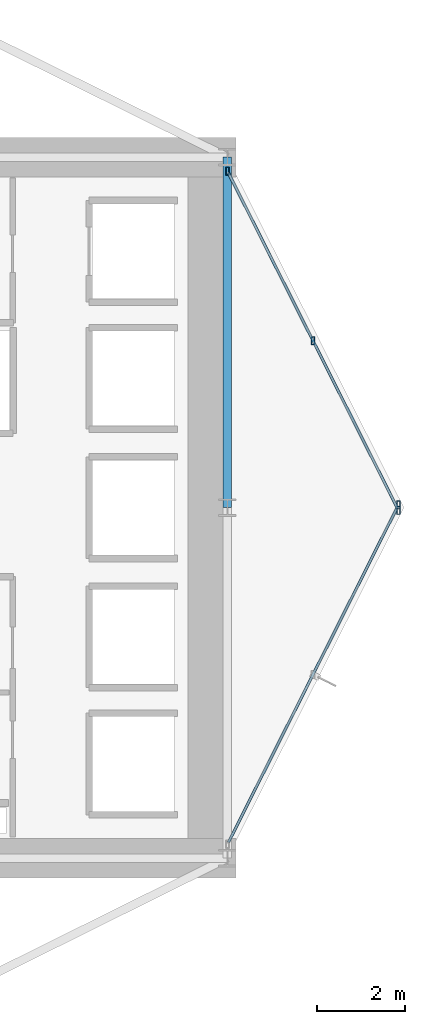
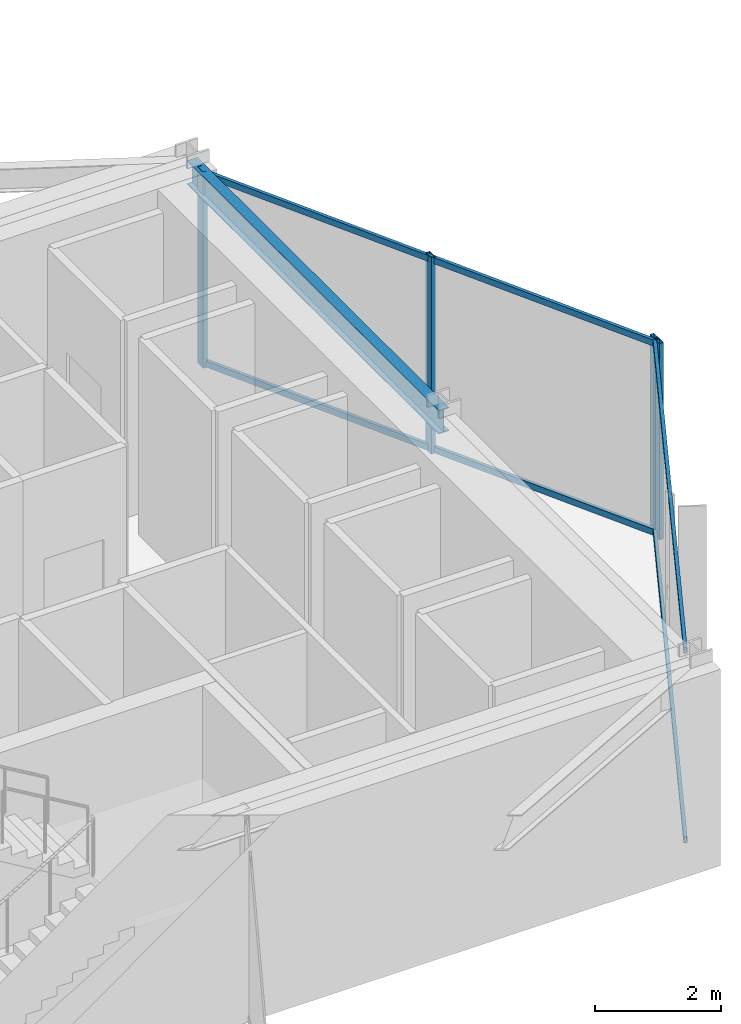
# One storey, part 19 of 30: 8 members, 1 beam, 2 elements without a shape of their own.
"""IFC4 building model written with IfcOpenShell, lengths in metres."""

from ifc_helpers import new_model, si_unit, direction, frame, origin, origin_2d, place, context, subcontext, project, spatial, hollow_rectangle, i_section, extrude, material, layer, layer_set, material_profile, profile_set, type_object, element, aggregate, save


model = new_model("IFC4")

# Units and contexts
model_context = context("Model", 3, precision=1e-05, world=origin(), true_north=direction((0.0, 1.0)))
body_context = subcontext(model_context, "Body", "Model", "MODEL_VIEW")
ifc_project = project(units=[si_unit("LENGTHUNIT", "METRE"), si_unit("AREAUNIT", "SQUARE_METRE"), si_unit("VOLUMEUNIT", "CUBIC_METRE"), si_unit("PLANEANGLEUNIT", "RADIAN"), si_unit("MASSUNIT", "GRAM", prefix="KILO")], contexts=[model_context])

# Site, building, storey
site_placement = place(None, origin())
site = spatial("IfcSite", under=ifc_project, at=site_placement, CompositionType="ELEMENT")
building_placement = place(site_placement, origin())
building = spatial("IfcBuilding", under=site, at=building_placement, Name="Veymaron Broadcast Tower", CompositionType="ELEMENT")
storey_placement = place(building_placement, frame((0.0, 0.0, 54.0)))
storey = spatial("IfcBuildingStorey", under=building, at=storey_placement, Name="L11", CompositionType="ELEMENT", Elevation=54.0)

# Beam
ifc_material_1 = material(Name="Structural steel ASTM A992 Gr 50", Category="steel")
ifc_material_profile_1 = material_profile(ifc_material_1, i_section(OverallWidth=0.19091796875, OverallDepth=0.4599609375, WebThickness=0.010009765625, FlangeThickness=0.01611328125, at=origin_2d()), Name="W460X82")
ifc_profile_set_1 = profile_set([ifc_material_profile_1], Name="Structural steel ASTM A992 Gr 50")
beam_type = type_object("IfcBeamType", Name="BM-SP1", PredefinedType="SPANDREL", material=ifc_profile_set_1)
beam_placement = place(storey_placement, frame((54.60009765625, 24.0, 3.580078125), z_axis=(0.0, 1.0, 0.0), x_axis=(-1.0, 0.0, 0.0)))
element("IfcBeam", 1, at=beam_placement, inside=storey, type_object=beam_type, Name="L11 primary structural floor girder", PredefinedType="SPANDREL", context=body_context, shape_type="SweptSolid", body=[
    extrude(i_section(OverallWidth=0.19091796875, OverallDepth=0.4599609375, WebThickness=0.010009765625, FlangeThickness=0.01611328125, at=origin_2d()), origin(), (0.0, 0.0, 1.0), 8.0),
])

# Curtain wall, member
ifc_material_2 = material(Name="Anodised aluminium AA 6063-T6 and laminated low-E dark glass", Category="aluminium")
ifc_layer = layer(ifc_material_2, 0.179931640625)
ifc_layer_set = layer_set([ifc_layer], Name="Anodised aluminium AA 6063-T6 and laminated low-E dark glass")
curtain_wall_type = type_object("IfcCurtainWallType", Name="CW-SYS-02", PredefinedType="NOTDEFINED", material=ifc_layer_set)
curtain_wall_1_placement = place(storey_placement, origin())
curtain_wall_1 = element("IfcCurtainWall", 2, at=curtain_wall_1_placement, inside=storey, type_object=curtain_wall_type, Name="L11 dark-glass curtain wall CW-L11-E2-1", PredefinedType="NOTDEFINED")
ifc_material_3 = material(Name="Anodised aluminium AA 6063-T6", Category="aluminium")
ifc_material_profile_2 = material_profile(ifc_material_3, hollow_rectangle(XDim=0.074951171875, YDim=0.179931640625, WallThickness=0.0048828125, at=origin_2d()), Name="AL180X75X5")
ifc_profile_set_2 = profile_set([ifc_material_profile_2], Name="Anodised aluminium AA 6063-T6")
member_type_1 = type_object("IfcMemberType", Name="CW-MUL-02", PredefinedType="MULLION", material=ifc_profile_set_2)
member_1_placement = place(storey_placement, frame((58.507080078125, 24.06298828125, 0.0), z_axis=(0.0, 0.0, 1.0), x_axis=(1.0, 0.0, 0.0)))
member_1 = element("IfcMember", 3, at=member_1_placement, type_object=member_type_1, Name="CW-L11-E2-1 mullion 2", PredefinedType="MULLION", context=body_context, shape_type="SweptSolid", body=[
    extrude(hollow_rectangle(XDim=0.074951171875, YDim=0.179931640625, WallThickness=0.0048828125, at=origin_2d()), origin(), (0.0, 0.0, 1.0), 3.81005859375),
])

# Curtain wall, members
curtain_wall_2_placement = place(storey_placement, origin())
curtain_wall_2 = element("IfcCurtainWall", 4, at=curtain_wall_2_placement, inside=storey, type_object=curtain_wall_type, Name="L11 dark-glass curtain wall CW-L11-E3-1", PredefinedType="NOTDEFINED")
member_2_placement = place(storey_placement, frame((58.507080078125, 23.93701171875, 0.0), z_axis=(0.0, 0.0, 1.0), x_axis=(1.0, 0.0, 0.0)))
member_2 = element("IfcMember", 5, at=member_2_placement, type_object=member_type_1, Name="CW-L11-E3-1 mullion 0", PredefinedType="MULLION", context=body_context, shape_type="SweptSolid", body=[
    extrude(hollow_rectangle(XDim=0.074951171875, YDim=0.179931640625, WallThickness=0.0048828125, at=origin_2d()), origin(), (0.0, 0.0, 1.0), 3.81005859375),
])
member_3_placement = place(storey_placement, frame((56.555419921875, 27.80908203125, 0.0), z_axis=(0.0, 0.0, 1.0), x_axis=(1.0, 0.0, 0.0)))
member_3 = element("IfcMember", 6, at=member_3_placement, type_object=member_type_1, Name="CW-L11-E3-1 mullion 1", PredefinedType="MULLION", context=body_context, shape_type="SweptSolid", body=[
    extrude(hollow_rectangle(XDim=0.074951171875, YDim=0.179931640625, WallThickness=0.0048828125, at=origin_2d()), origin(), (0.0, 0.0, 1.0), 3.81005859375),
])
member_4_placement = place(storey_placement, frame((54.60400390625, 31.681396484375, 0.0), z_axis=(0.0, 0.0, 1.0), x_axis=(1.0, 0.0, 0.0)))
member_4 = element("IfcMember", 7, at=member_4_placement, type_object=member_type_1, Name="CW-L11-E3-1 mullion 2", PredefinedType="MULLION", context=body_context, shape_type="SweptSolid", body=[
    extrude(hollow_rectangle(XDim=0.074951171875, YDim=0.179931640625, WallThickness=0.0048828125, at=origin_2d()), origin(), (0.0, 0.0, 1.0), 3.81005859375),
])

# Member
ifc_material_profile_3 = material_profile(ifc_material_3, hollow_rectangle(XDim=0.06005859375, YDim=0.1201171875, WallThickness=0.00390625, at=origin_2d()), Name="AL120X60X4")
ifc_profile_set_3 = profile_set([ifc_material_profile_3], Name="Anodised aluminium AA 6063-T6")
member_type_2 = type_object("IfcMemberType", Name="CW-TRN-02", PredefinedType="USERDEFINED", material=ifc_profile_set_3)
member_5_placement = place(storey_placement, frame((54.62646484375, 16.36328125, 0.070068359375), z_axis=(0.450070710256, 0.892992920336, 0.0), x_axis=(-0.892992920336, 0.450070710256, 0.0)))
member_5 = element("IfcMember", 8, at=member_5_placement, type_object=member_type_2, Name="CW-L11-E2-1 transom B", ObjectType="TRANSOM", PredefinedType="USERDEFINED", context=body_context, shape_type="SweptSolid", body=[
    extrude(hollow_rectangle(XDim=0.06005859375, YDim=0.1201171875, WallThickness=0.00390625, at=origin_2d()), origin(), (0.0, 0.0, 1.0), 8.572265625),
])

member_6_placement = place(storey_placement, frame((54.62646484375, 16.36328125, 3.739990234375), z_axis=(0.450070710256, 0.892992920336, 0.0), x_axis=(-0.892992920336, 0.450070710256, 0.0)))
member_6 = element("IfcMember", 9, at=member_6_placement, type_object=member_type_2, Name="CW-L11-E2-1 transom T", ObjectType="TRANSOM", PredefinedType="USERDEFINED", context=body_context, shape_type="SweptSolid", body=[
    extrude(hollow_rectangle(XDim=0.06005859375, YDim=0.1201171875, WallThickness=0.00390625, at=origin_2d()), origin(), (0.0, 0.0, 1.0), 8.572265625),
])

aggregate(curtain_wall_1, [member_1, member_5, member_6])

member_7_placement = place(storey_placement, frame((58.484619140625, 23.981689453125, 0.070068359375), z_axis=(-0.450070710256, 0.892992920336, 0.0), x_axis=(-0.892992920336, -0.450070710256, 0.0)))
member_7 = element("IfcMember", 10, at=member_7_placement, type_object=member_type_2, Name="CW-L11-E3-1 transom B", ObjectType="TRANSOM", PredefinedType="USERDEFINED", context=body_context, shape_type="SweptSolid", body=[
    extrude(hollow_rectangle(XDim=0.06005859375, YDim=0.1201171875, WallThickness=0.00390625, at=origin_2d()), origin(), (0.0, 0.0, 1.0), 8.572265625),
])

member_8_placement = place(storey_placement, frame((58.484619140625, 23.981689453125, 3.739990234375), z_axis=(-0.450070710256, 0.892992920336, 0.0), x_axis=(-0.892992920336, -0.450070710256, 0.0)))
member_8 = element("IfcMember", 11, at=member_8_placement, type_object=member_type_2, Name="CW-L11-E3-1 transom T", ObjectType="TRANSOM", PredefinedType="USERDEFINED", context=body_context, shape_type="SweptSolid", body=[
    extrude(hollow_rectangle(XDim=0.06005859375, YDim=0.1201171875, WallThickness=0.00390625, at=origin_2d()), origin(), (0.0, 0.0, 1.0), 8.572265625),
])

aggregate(curtain_wall_2, [member_2, member_3, member_4, member_7, member_8])

save(model, "model.ifc")
